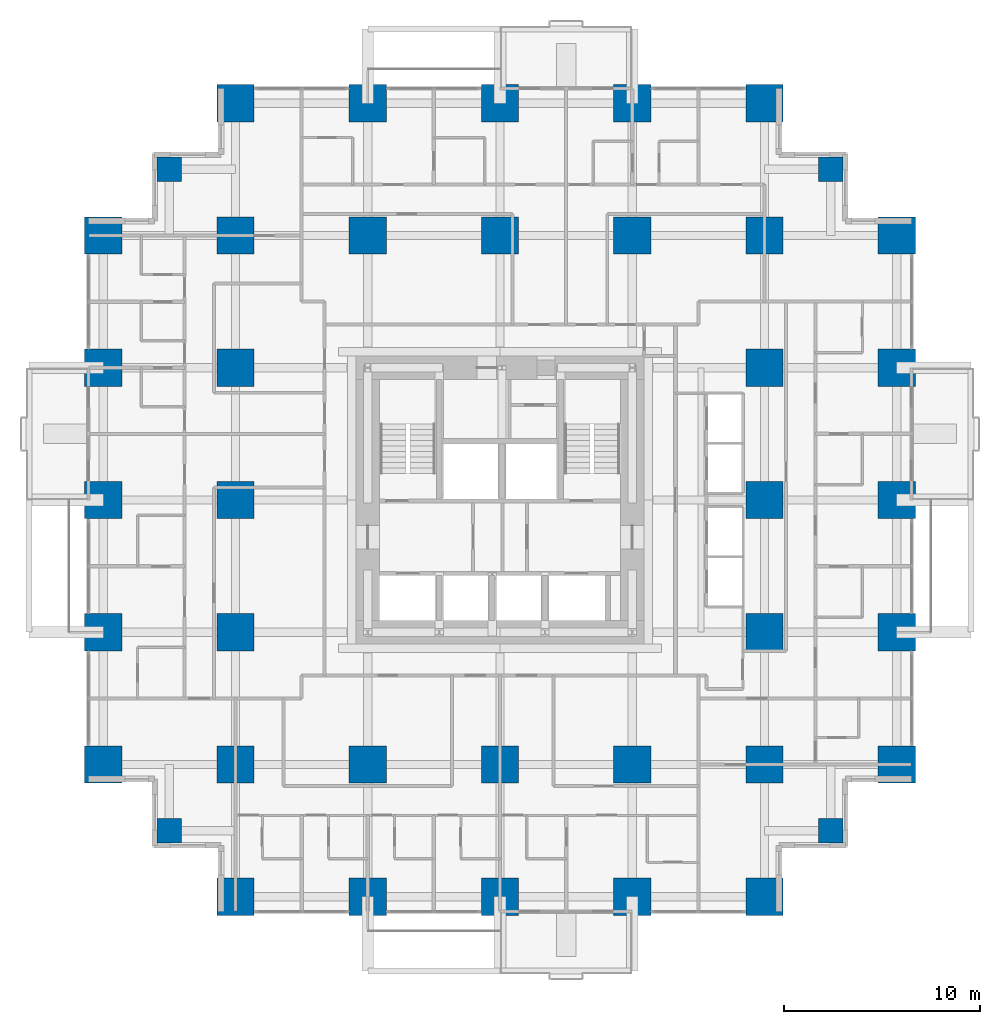
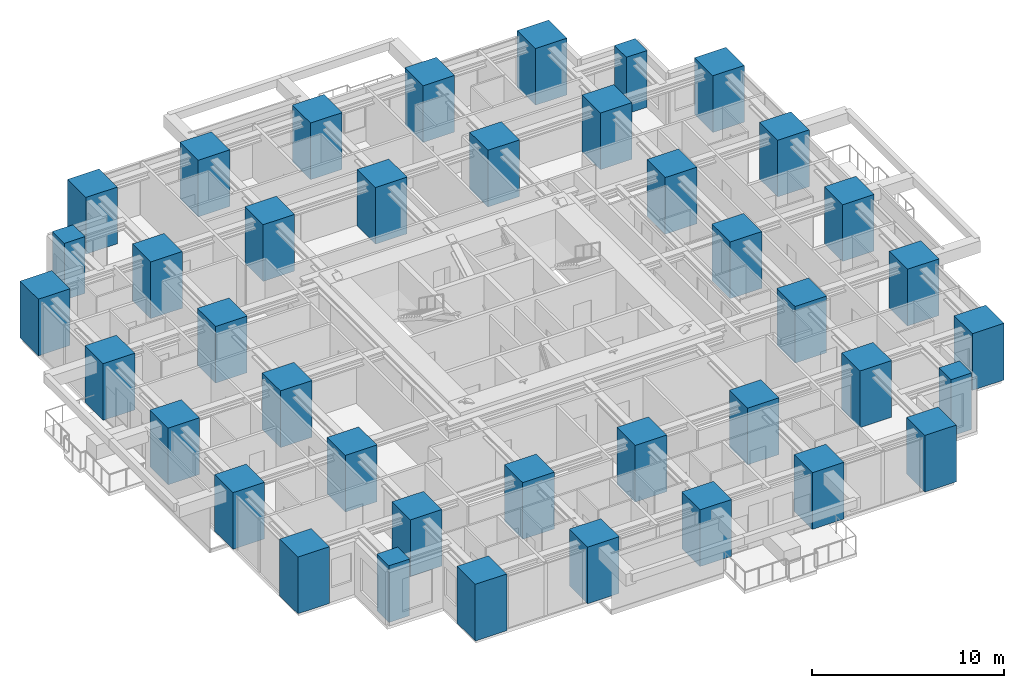
# One storey, part 1 of 14: 40 columns.
"""IFC4 building model written with IfcOpenShell, lengths in metres."""

from ifc_helpers import new_model, si_unit, direction, frame, origin, origin_2d, place, context, subcontext, project, spatial, rectangle, extrude, material, material_profile, profile_set, type_object, element, save


model = new_model("IFC4")

# Units and contexts
model_context = context("Model", 3, precision=1e-05, world=origin(), true_north=direction((0.0, 1.0)))
body_context = subcontext(model_context, "Body", "Model", "MODEL_VIEW")
ifc_project = project(units=[si_unit("LENGTHUNIT", "METRE"), si_unit("AREAUNIT", "SQUARE_METRE"), si_unit("VOLUMEUNIT", "CUBIC_METRE"), si_unit("PLANEANGLEUNIT", "RADIAN"), si_unit("MASSUNIT", "GRAM", prefix="KILO")], contexts=[model_context])

# Site, building, storey
site_placement = place(None, origin())
site = spatial("IfcSite", under=ifc_project, at=site_placement, CompositionType="ELEMENT")
building_placement = place(site_placement, origin())
building = spatial("IfcBuilding", under=site, at=building_placement, Name="Nyansa Garden Tower", CompositionType="ELEMENT")
storey_placement = place(building_placement, frame((0.0, 0.0, 43.199951171875)))
storey = spatial("IfcBuildingStorey", under=building, at=storey_placement, Name="L11", CompositionType="ELEMENT", Elevation=43.199951171875)

# Columns
ifc_material_1 = material(Name="Concrete C70/85", Category="concrete")
ifc_material_profile_1 = material_profile(ifc_material_1, rectangle(XDim=1.25, YDim=1.25, at=origin_2d()), Name="RC 1250x1250")
ifc_profile_set_1 = profile_set([ifc_material_profile_1], Name="Concrete C70/85")
column_type_1 = type_object("IfcColumnType", Name="Column C125 RC 1250x1250", PredefinedType="COLUMN", material=ifc_profile_set_1)
for number, where, z_axis, x_axis, name in (
    (1, (3.375, 3.375, 0.0), (0.0, 0.0, 1.0), (1.0, 0.0, 0.0), "Column x3.375/y3.375 L11"),
    (2, (3.375, 37.125, 0.0), (0.0, 0.0, 1.0), (1.0, 0.0, 0.0), "Column x3.375/y37.125 L11"),
    (3, (37.125, 3.375, 0.0), (0.0, 0.0, 1.0), (1.0, 0.0, 0.0), "Column x37.125/y3.375 L11"),
    (4, (37.125, 37.125, 0.0), (0.0, 0.0, 1.0), (1.0, 0.0, 0.0), "Column x37.125/y37.125 L11"),
):
    element("IfcColumn", number, at=place(storey_placement, frame(where, z_axis=z_axis, x_axis=x_axis)), inside=storey, type_object=column_type_1, Name=name, PredefinedType="COLUMN", context=body_context, shape_type="SweptSolid", body=[
        extrude(rectangle(XDim=1.25, YDim=1.25, at=origin_2d()), origin(), (0.0, 0.0, 1.0), 3.60009765625),
    ])
ifc_material_2 = material(Name="Concrete C80/95", Category="concrete")
ifc_material_profile_2 = material_profile(ifc_material_2, rectangle(XDim=1.89990234375, YDim=1.89990234375, at=origin_2d()), Name="RC 1900x1900")
ifc_profile_set_2 = profile_set([ifc_material_profile_2], Name="Concrete C80/95")
column_type_2 = type_object("IfcColumnType", Name="Column C190 RC 1900x1900", PredefinedType="COLUMN", material=ifc_profile_set_2)
for number, where, z_axis, x_axis, name in (
    (5, (0.0, 6.75, 0.0), (0.0, 0.0, 1.0), (1.0, 0.0, 0.0), "Column 2/E L11"),
    (6, (0.0, 13.5, 0.0), (0.0, 0.0, 1.0), (1.0, 0.0, 0.0), "Column 2/F L11"),
    (7, (0.0, 20.25, 0.0), (0.0, 0.0, 1.0), (1.0, 0.0, 0.0), "Column 2/G L11"),
    (8, (0.0, 27.0, 0.0), (0.0, 0.0, 1.0), (1.0, 0.0, 0.0), "Column 2/H L11"),
    (9, (0.0, 33.75, 0.0), (0.0, 0.0, 1.0), (1.0, 0.0, 0.0), "Column 2/J L11"),
    (10, (6.75, 0.0, 0.0), (0.0, 0.0, 1.0), (1.0, 0.0, 0.0), "Column 3/D L11"),
    (11, (6.75, 6.75, 0.0), (0.0, 0.0, 1.0), (1.0, 0.0, 0.0), "Column 3/E L11"),
    (12, (6.75, 13.5, 0.0), (0.0, 0.0, 1.0), (1.0, 0.0, 0.0), "Column 3/F L11"),
    (13, (6.75, 20.25, 0.0), (0.0, 0.0, 1.0), (1.0, 0.0, 0.0), "Column 3/G L11"),
    (14, (6.75, 27.0, 0.0), (0.0, 0.0, 1.0), (1.0, 0.0, 0.0), "Column 3/H L11"),
    (15, (6.75, 33.75, 0.0), (0.0, 0.0, 1.0), (1.0, 0.0, 0.0), "Column 3/J L11"),
    (16, (6.75, 40.5, 0.0), (0.0, 0.0, 1.0), (1.0, 0.0, 0.0), "Column 3/K L11"),
    (17, (13.5, 0.0, 0.0), (0.0, 0.0, 1.0), (1.0, 0.0, 0.0), "Column 4/D L11"),
    (18, (13.5, 6.75, 0.0), (0.0, 0.0, 1.0), (1.0, 0.0, 0.0), "Column 4/E L11"),
    (19, (13.5, 33.75, 0.0), (0.0, 0.0, 1.0), (1.0, 0.0, 0.0), "Column 4/J L11"),
    (20, (13.5, 40.5, 0.0), (0.0, 0.0, 1.0), (1.0, 0.0, 0.0), "Column 4/K L11"),
    (21, (20.25, 0.0, 0.0), (0.0, 0.0, 1.0), (1.0, 0.0, 0.0), "Column 5/D L11"),
    (22, (20.25, 6.75, 0.0), (0.0, 0.0, 1.0), (1.0, 0.0, 0.0), "Column 5/E L11"),
    (23, (20.25, 33.75, 0.0), (0.0, 0.0, 1.0), (1.0, 0.0, 0.0), "Column 5/J L11"),
    (24, (20.25, 40.5, 0.0), (0.0, 0.0, 1.0), (1.0, 0.0, 0.0), "Column 5/K L11"),
    (25, (27.0, 0.0, 0.0), (0.0, 0.0, 1.0), (1.0, 0.0, 0.0), "Column 6/D L11"),
    (26, (27.0, 6.75, 0.0), (0.0, 0.0, 1.0), (1.0, 0.0, 0.0), "Column 6/E L11"),
    (27, (27.0, 33.75, 0.0), (0.0, 0.0, 1.0), (1.0, 0.0, 0.0), "Column 6/J L11"),
    (28, (27.0, 40.5, 0.0), (0.0, 0.0, 1.0), (1.0, 0.0, 0.0), "Column 6/K L11"),
    (29, (33.75, 0.0, 0.0), (0.0, 0.0, 1.0), (1.0, 0.0, 0.0), "Column 7/D L11"),
    (30, (33.75, 6.75, 0.0), (0.0, 0.0, 1.0), (1.0, 0.0, 0.0), "Column 7/E L11"),
    (31, (33.75, 13.5, 0.0), (0.0, 0.0, 1.0), (1.0, 0.0, 0.0), "Column 7/F L11"),
    (32, (33.75, 20.25, 0.0), (0.0, 0.0, 1.0), (1.0, 0.0, 0.0), "Column 7/G L11"),
    (33, (33.75, 27.0, 0.0), (0.0, 0.0, 1.0), (1.0, 0.0, 0.0), "Column 7/H L11"),
    (34, (33.75, 33.75, 0.0), (0.0, 0.0, 1.0), (1.0, 0.0, 0.0), "Column 7/J L11"),
    (35, (33.75, 40.5, 0.0), (0.0, 0.0, 1.0), (1.0, 0.0, 0.0), "Column 7/K L11"),
    (36, (40.5, 6.75, 0.0), (0.0, 0.0, 1.0), (1.0, 0.0, 0.0), "Column 8/E L11"),
    (37, (40.5, 13.5, 0.0), (0.0, 0.0, 1.0), (1.0, 0.0, 0.0), "Column 8/F L11"),
    (38, (40.5, 20.25, 0.0), (0.0, 0.0, 1.0), (1.0, 0.0, 0.0), "Column 8/G L11"),
    (39, (40.5, 27.0, 0.0), (0.0, 0.0, 1.0), (1.0, 0.0, 0.0), "Column 8/H L11"),
    (40, (40.5, 33.75, 0.0), (0.0, 0.0, 1.0), (1.0, 0.0, 0.0), "Column 8/J L11"),
):
    element("IfcColumn", number, at=place(storey_placement, frame(where, z_axis=z_axis, x_axis=x_axis)), inside=storey, type_object=column_type_2, Name=name, PredefinedType="COLUMN", context=body_context, shape_type="SweptSolid", body=[
        extrude(rectangle(XDim=1.89990234375, YDim=1.89990234375, at=origin_2d()), origin(), (0.0, 0.0, 1.0), 3.60009765625),
    ])

save(model, "model.ifc")
